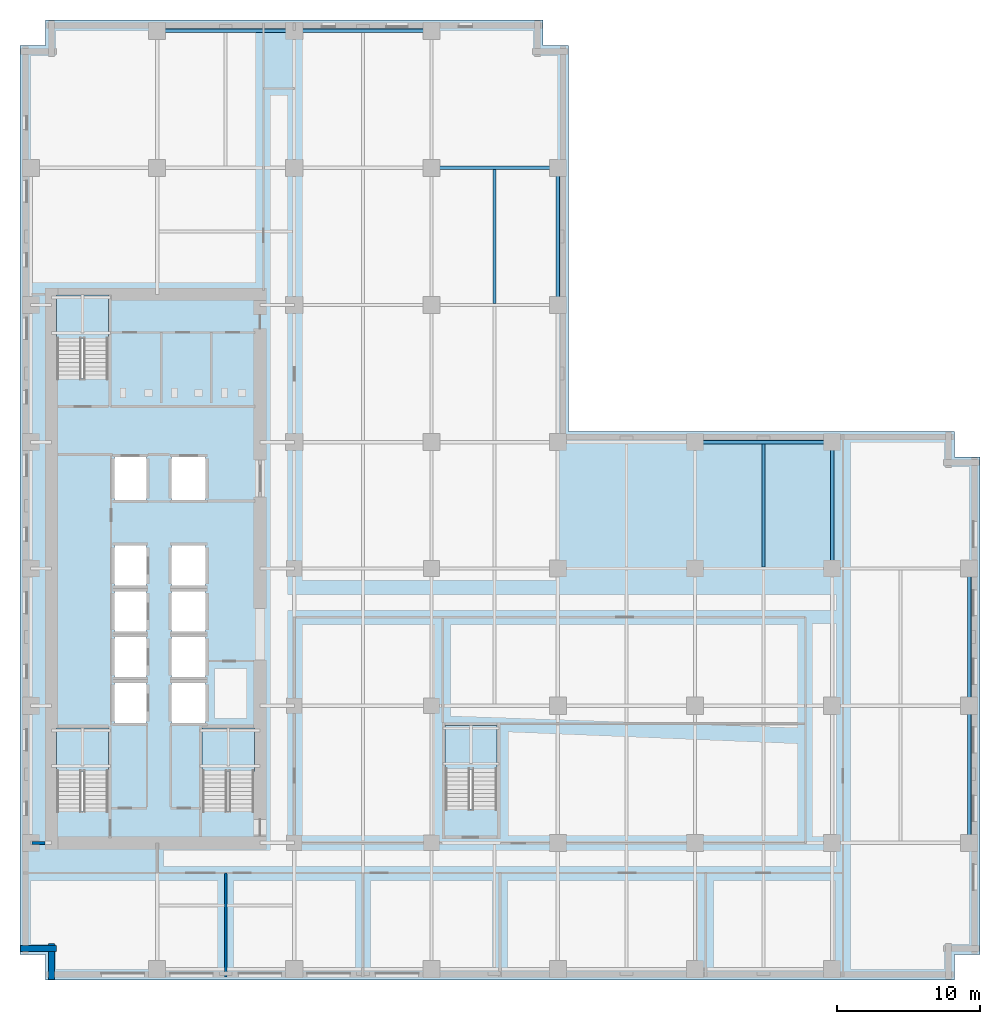
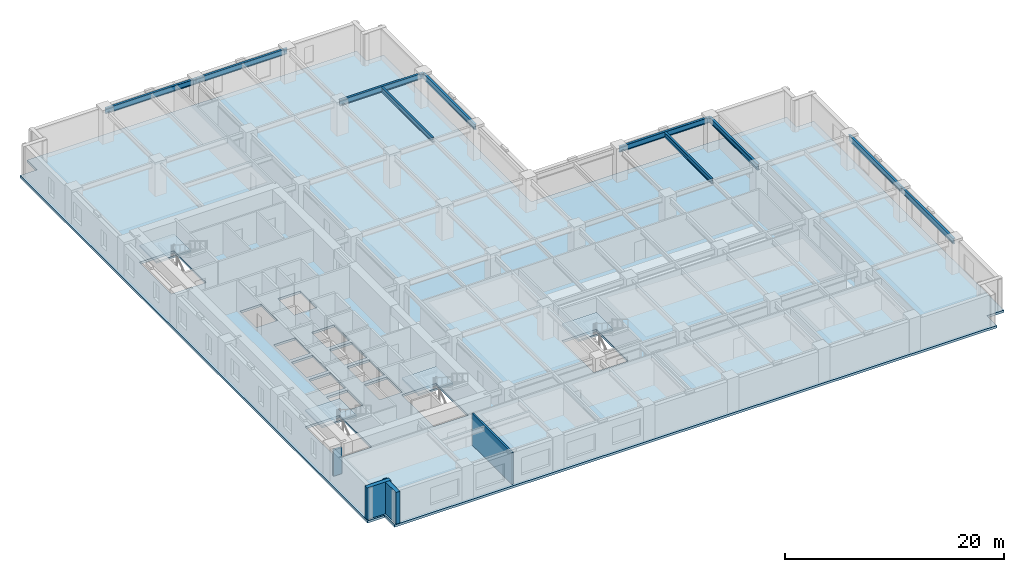
# One storey, part 3 of 13: 10 beams, 5 slabs, 4 walls, 4 elements without a shape of their own.
"""IFC4 building model written with IfcOpenShell, lengths in metres."""

from ifc_helpers import new_model, si_unit, direction, frame, frame_2d, origin, origin_2d, place, context, subcontext, project, spatial, polyline, rectangle, i_section, outline, extrude, material, layer, layer_set, material_profile, profile_set, type_object, element, aggregate, save


model = new_model("IFC4")

# Units and contexts
model_context = context("Model", 3, precision=1e-05, world=origin(), true_north=direction((0.0, 1.0)))
body_context = subcontext(model_context, "Body", "Model", "MODEL_VIEW")
ifc_project = project(units=[si_unit("LENGTHUNIT", "METRE"), si_unit("AREAUNIT", "SQUARE_METRE"), si_unit("VOLUMEUNIT", "CUBIC_METRE"), si_unit("PLANEANGLEUNIT", "RADIAN"), si_unit("MASSUNIT", "GRAM", prefix="KILO")], contexts=[model_context])

# Site, building, storey
site_placement = place(None, origin())
site = spatial("IfcSite", under=ifc_project, at=site_placement, CompositionType="ELEMENT")
building_placement = place(site_placement, origin())
building = spatial("IfcBuilding", under=site, at=building_placement, Name="Norrvale University Quadrangle", CompositionType="ELEMENT")
storey_placement = place(building_placement, frame((0.0, 0.0, 31.800048828125)))
storey = spatial("IfcBuildingStorey", under=building, at=storey_placement, Name="L07", CompositionType="ELEMENT", Elevation=31.800048828125)

# Beams
ifc_material_1 = material(Name="Steel 350W", Category="steel")
ifc_material_profile_1 = material_profile(ifc_material_1, i_section(OverallWidth=0.208984375, OverallDepth=0.532958984375, WebThickness=0.01025390625, FlangeThickness=0.015625, FilletRadius=0.013916015625, at=origin_2d()), Name="Steel 350W")
ifc_profile_set_1 = profile_set([ifc_material_profile_1], Name="Steel 350W")
beam_type_1 = type_object("IfcBeamType", Name="Beam Floor W530x92", PredefinedType="JOIST", material=ifc_profile_set_1)
beam_1_placement = place(storey_placement, frame((33.22509765625, 47.364990234375, 3.2734375), z_axis=(0.0, 1.0, 0.0), x_axis=(-1.0, 0.0, 0.0)))
element("IfcBeam", 1, at=beam_1_placement, inside=storey, type_object=beam_type_1, Name="Beam Floor W530x92 BM-L07-J091", PredefinedType="JOIST", context=body_context, shape_type="SweptSolid", body=[
    extrude(i_section(OverallWidth=0.208984375, OverallDepth=0.532958984375, WebThickness=0.01025390625, FlangeThickness=0.015625, FilletRadius=0.013916015625, at=origin_2d()), origin(), (0.0, 0.0, 1.0), 9.3701171875),
])
beam_2_placement = place(storey_placement, frame((52.050048828125, 28.9150390625, 3.2734375), z_axis=(0.0, 1.0, 0.0), x_axis=(-1.0, 0.0, 0.0)))
element("IfcBeam", 2, at=beam_2_placement, inside=storey, type_object=beam_type_1, Name="Beam Floor W530x92 BM-L07-J099", PredefinedType="JOIST", context=body_context, shape_type="SweptSolid", body=[
    extrude(i_section(OverallWidth=0.208984375, OverallDepth=0.532958984375, WebThickness=0.01025390625, FlangeThickness=0.015625, FilletRadius=0.013916015625, at=origin_2d()), origin(), (0.0, 0.0, 1.0), 8.619873046875),
])
ifc_material_profile_2 = material_profile(ifc_material_1, i_section(OverallWidth=0.22998046875, OverallDepth=0.616943359375, WebThickness=0.01318359375, FlangeThickness=0.022216796875, FilletRadius=0.01611328125, at=origin_2d()), Name="Steel 350W")
ifc_profile_set_2 = profile_set([ifc_material_profile_2], Name="Steel 350W")
beam_type_2 = type_object("IfcBeamType", Name="Beam Floor W610x140", PredefinedType="BEAM", material=ifc_profile_set_2)
beam_3_placement = place(storey_placement, frame((47.25, 37.64990234375, 3.2314453125), z_axis=(1.0, 0.0, 0.0), x_axis=(0.0, 1.0, 0.0)))
element("IfcBeam", 3, at=beam_3_placement, inside=storey, type_object=beam_type_2, Name="Beam Floor W610x140 BM-L07-GX024", PredefinedType="BEAM", context=body_context, shape_type="SweptSolid", body=[
    extrude(i_section(OverallWidth=0.22998046875, OverallDepth=0.616943359375, WebThickness=0.01318359375, FlangeThickness=0.022216796875, FilletRadius=0.01611328125, at=origin_2d()), origin(), (0.0, 0.0, 1.0), 9.60009765625),
])
beam_4_placement = place(storey_placement, frame((28.800048828125, 56.85009765625, 3.2314453125), z_axis=(1.0, 0.0, 0.0), x_axis=(0.0, 1.0, 0.0)))
element("IfcBeam", 4, at=beam_4_placement, inside=storey, type_object=beam_type_2, Name="Beam Floor W610x140 BM-L07-GX030", PredefinedType="BEAM", context=body_context, shape_type="SweptSolid", body=[
    extrude(i_section(OverallWidth=0.22998046875, OverallDepth=0.616943359375, WebThickness=0.01318359375, FlangeThickness=0.022216796875, FilletRadius=0.01611328125, at=origin_2d()), origin(), (0.0, 0.0, 1.0), 8.849853515625),
])
beam_5_placement = place(storey_placement, frame((9.60009765625, 66.449951171875, 3.2314453125), z_axis=(1.0, 0.0, 0.0), x_axis=(0.0, 1.0, 0.0)))
element("IfcBeam", 5, at=beam_5_placement, inside=storey, type_object=beam_type_2, Name="Beam Floor W610x140 BM-L07-GX031", PredefinedType="BEAM", context=body_context, shape_type="SweptSolid", body=[
    extrude(i_section(OverallWidth=0.22998046875, OverallDepth=0.616943359375, WebThickness=0.01318359375, FlangeThickness=0.022216796875, FilletRadius=0.01611328125, at=origin_2d()), origin(), (0.0, 0.0, 1.0), 9.599853515625),
])
for number, where, z_axis, x_axis, name in (
    (6, (19.199951171875, 66.449951171875, 3.2314453125), (1.0, 0.0, 0.0), (0.0, 1.0, 0.0), "Beam Floor W610x140 BM-L07-GX032"),
    (7, (37.64990234375, 47.25, 3.2314453125), (0.0, 1.0, 0.0), (-1.0, 0.0, 0.0), "Beam Floor W610x140 BM-L07-GY058"),
):
    element("IfcBeam", number, at=place(storey_placement, frame(where, z_axis=z_axis, x_axis=x_axis)), inside=storey, type_object=beam_type_2, Name=name, PredefinedType="BEAM", context=body_context, shape_type="SweptSolid", body=[
        extrude(i_section(OverallWidth=0.22998046875, OverallDepth=0.616943359375, WebThickness=0.01318359375, FlangeThickness=0.022216796875, FilletRadius=0.01611328125, at=origin_2d()), origin(), (0.0, 0.0, 1.0), 9.60009765625),
    ])
beam_6_placement = place(storey_placement, frame((56.85009765625, 28.800048828125, 3.2314453125), z_axis=(0.0, 1.0, 0.0), x_axis=(-1.0, 0.0, 0.0)))
element("IfcBeam", 8, at=beam_6_placement, inside=storey, type_object=beam_type_2, Name="Beam Floor W610x140 BM-L07-GY066", PredefinedType="BEAM", context=body_context, shape_type="SweptSolid", body=[
    extrude(i_section(OverallWidth=0.22998046875, OverallDepth=0.616943359375, WebThickness=0.01318359375, FlangeThickness=0.022216796875, FilletRadius=0.01611328125, at=origin_2d()), origin(), (0.0, 0.0, 1.0), 8.849853515625),
])
beam_7_placement = place(storey_placement, frame((66.449951171875, 9.60009765625, 3.2314453125), z_axis=(0.0, 1.0, 0.0), x_axis=(-1.0, 0.0, 0.0)))
element("IfcBeam", 9, at=beam_7_placement, inside=storey, type_object=beam_type_2, Name="Beam Floor W610x140 BM-L07-GY067", PredefinedType="BEAM", context=body_context, shape_type="SweptSolid", body=[
    extrude(i_section(OverallWidth=0.22998046875, OverallDepth=0.616943359375, WebThickness=0.01318359375, FlangeThickness=0.022216796875, FilletRadius=0.01611328125, at=origin_2d()), origin(), (0.0, 0.0, 1.0), 9.599853515625),
])
beam_8_placement = place(storey_placement, frame((66.449951171875, 19.199951171875, 3.2314453125), z_axis=(0.0, 1.0, 0.0), x_axis=(-1.0, 0.0, 0.0)))
element("IfcBeam", 10, at=beam_8_placement, inside=storey, type_object=beam_type_2, Name="Beam Floor W610x140 BM-L07-GY068", PredefinedType="BEAM", context=body_context, shape_type="SweptSolid", body=[
    extrude(i_section(OverallWidth=0.22998046875, OverallDepth=0.616943359375, WebThickness=0.01318359375, FlangeThickness=0.022216796875, FilletRadius=0.01611328125, at=origin_2d()), origin(), (0.0, 0.0, 1.0), 9.60009765625),
])

# Stair, slab
ifc_material_2 = material(Name="Concrete C40/50", Category="concrete")
stair_type = type_object("IfcStairType", Name="Stair Tower Typ 3800", PredefinedType="TWO_STRAIGHT_RUN_STAIR", material=ifc_material_2)
stair_1_placement = place(storey_placement, origin())
stair_1 = element("IfcStair", 11, at=stair_1_placement, inside=storey, type_object=stair_type, Name="Exit Stair ST-01 L07", PredefinedType="TWO_STRAIGHT_RUN_STAIR")
ifc_layer_1 = layer(ifc_material_2, 0.199951171875, Name="Concrete C40/50")
ifc_layer_set_1 = layer_set([ifc_layer_1], Name="Concrete C40/50")
slab_type_1 = type_object("IfcSlabType", Name="Slab Landing 200", PredefinedType="LANDING", material=ifc_layer_set_1)
slab_1_placement = place(storey_placement, frame((0.0, 0.0, 1.699951171875)))
slab_1 = element("IfcSlab", 12, at=slab_1_placement, type_object=slab_type_1, Name="Exit Stair ST-01 L07 Mid Landing", PredefinedType="LANDING", context=body_context, shape_type="SweptSolid", body=[
    extrude(outline(polyline([(2.550048828125, 14.590087890625), (6.199951171875, 14.590087890625), (6.199951171875, 17.64990234375), (2.550048828125, 17.64990234375), (2.550048828125, 14.590087890625)])), origin(), (0.0, 0.0, 1.0), 0.199951171875),
])
aggregate(stair_1, [slab_1])

stair_2_placement = place(storey_placement, origin())
stair_2 = element("IfcStair", 13, at=stair_2_placement, inside=storey, type_object=stair_type, Name="Exit Stair ST-02 L07", PredefinedType="TWO_STRAIGHT_RUN_STAIR")
slab_2_placement = place(storey_placement, frame((0.0, 0.0, 1.699951171875)))
slab_2 = element("IfcSlab", 14, at=slab_2_placement, type_object=slab_type_1, Name="Exit Stair ST-02 L07 Mid Landing", PredefinedType="LANDING", context=body_context, shape_type="SweptSolid", body=[
    extrude(outline(polyline([(2.550048828125, 44.889892578125), (6.199951171875, 44.889892578125), (6.199951171875, 47.949951171875), (2.550048828125, 47.949951171875), (2.550048828125, 44.889892578125)])), origin(), (0.0, 0.0, 1.0), 0.199951171875),
])
aggregate(stair_2, [slab_2])

stair_3_placement = place(storey_placement, origin())
stair_3 = element("IfcStair", 15, at=stair_3_placement, inside=storey, type_object=stair_type, Name="Exit Stair ST-03 L07", PredefinedType="TWO_STRAIGHT_RUN_STAIR")
slab_3_placement = place(storey_placement, frame((0.0, 0.0, 1.699951171875)))
slab_3 = element("IfcSlab", 16, at=slab_3_placement, type_object=slab_type_1, Name="Exit Stair ST-03 L07 Mid Landing", PredefinedType="LANDING", context=body_context, shape_type="SweptSolid", body=[
    extrude(outline(polyline([(12.75, 14.590087890625), (16.39990234375, 14.590087890625), (16.39990234375, 17.64990234375), (12.75, 17.64990234375), (12.75, 14.590087890625)])), origin(), (0.0, 0.0, 1.0), 0.199951171875),
])
aggregate(stair_3, [slab_3])

stair_4_placement = place(storey_placement, origin())
stair_4 = element("IfcStair", 17, at=stair_4_placement, inside=storey, type_object=stair_type, Name="Exit Stair ST-04 L07", PredefinedType="TWO_STRAIGHT_RUN_STAIR")
slab_4_placement = place(storey_placement, frame((0.0, 0.0, 1.699951171875)))
slab_4 = element("IfcSlab", 18, at=slab_4_placement, type_object=slab_type_1, Name="Exit Stair ST-04 L07 Mid Landing", PredefinedType="LANDING", context=body_context, shape_type="SweptSolid", body=[
    extrude(outline(polyline([(29.75, 14.739990234375), (33.39990234375, 14.739990234375), (33.39990234375, 17.800048828125), (29.75, 17.800048828125), (29.75, 14.739990234375)])), origin(), (0.0, 0.0, 1.0), 0.199951171875),
])
aggregate(stair_4, [slab_4])

# Slab
ifc_layer_2 = layer(ifc_material_2, 0.260009765625, Name="Concrete C40/50")
ifc_layer_set_2 = layer_set([ifc_layer_2], Name="Concrete C40/50")
slab_type_2 = type_object("IfcSlabType", Name="Slab Tower Typ 260", PredefinedType="FLOOR", material=ifc_layer_set_2)
slab_5_placement = place(storey_placement, frame((0.0, 0.0, -0.260009765625)))
element("IfcSlab", 19, at=slab_5_placement, inside=storey, type_object=slab_type_2, Name="Tower L07 Floor Slab", PredefinedType="FLOOR", context=body_context, shape_type="SweptSolid", body=[
    extrude(outline(polyline([(1.800048828125, 0.0), (65.39990234375, 0.0), (65.39990234375, 1.800048828125), (67.199951171875, 1.800048828125), (67.199951171875, 36.60009765625), (65.39990234375, 36.60009765625), (65.39990234375, 38.39990234375), (38.39990234375, 38.39990234375), (38.39990234375, 65.39990234375), (36.60009765625, 65.39990234375), (36.60009765625, 67.199951171875), (1.800048828125, 67.199951171875), (1.800048828125, 65.39990234375), (0.0, 65.39990234375), (0.0, 1.800048828125), (1.800048828125, 1.800048828125), (1.800048828125, 0.0)]), holes=[polyline([(2.550048828125, 11.81005859375), (6.199951171875, 11.81005859375), (6.199951171875, 17.64990234375), (2.550048828125, 17.64990234375), (2.550048828125, 11.81005859375)]), polyline([(2.550048828125, 42.110107421875), (6.199951171875, 42.110107421875), (6.199951171875, 47.949951171875), (2.550048828125, 47.949951171875), (2.550048828125, 42.110107421875)]), polyline([(12.75, 11.81005859375), (16.39990234375, 11.81005859375), (16.39990234375, 17.64990234375), (12.75, 17.64990234375), (12.75, 11.81005859375)]), polyline([(29.75, 11.9599609375), (33.39990234375, 11.9599609375), (33.39990234375, 17.800048828125), (29.75, 17.800048828125), (29.75, 11.9599609375)]), polyline([(6.60009765625, 18.0), (8.85009765625, 18.0), (8.85009765625, 20.800048828125), (6.60009765625, 20.800048828125), (6.60009765625, 18.0)]), polyline([(6.60009765625, 21.199951171875), (8.85009765625, 21.199951171875), (8.85009765625, 24.0), (6.60009765625, 24.0), (6.60009765625, 21.199951171875)]), polyline([(6.60009765625, 24.39990234375), (8.85009765625, 24.39990234375), (8.85009765625, 27.199951171875), (6.60009765625, 27.199951171875), (6.60009765625, 24.39990234375)]), polyline([(6.60009765625, 27.60009765625), (8.85009765625, 27.60009765625), (8.85009765625, 30.39990234375), (6.60009765625, 30.39990234375), (6.60009765625, 27.60009765625)]), polyline([(10.60009765625, 18.0), (13.0, 18.0), (13.0, 20.800048828125), (10.60009765625, 20.800048828125), (10.60009765625, 18.0)]), polyline([(10.60009765625, 21.199951171875), (13.0, 21.199951171875), (13.0, 24.0), (10.60009765625, 24.0), (10.60009765625, 21.199951171875)]), polyline([(10.60009765625, 24.39990234375), (13.0, 24.39990234375), (13.0, 27.199951171875), (10.60009765625, 27.199951171875), (10.60009765625, 24.39990234375)]), polyline([(10.60009765625, 27.60009765625), (13.0, 27.60009765625), (13.0, 30.39990234375), (10.60009765625, 30.39990234375), (10.60009765625, 27.60009765625)]), polyline([(6.60009765625, 33.60009765625), (8.85009765625, 33.60009765625), (8.85009765625, 36.60009765625), (6.60009765625, 36.60009765625), (6.60009765625, 33.60009765625)]), polyline([(10.60009765625, 33.60009765625), (13.0, 33.60009765625), (13.0, 36.60009765625), (10.60009765625, 36.60009765625), (10.60009765625, 33.60009765625)])]), origin(), (0.0, 0.0, 1.0), 0.260009765625),
])

# Walls
ifc_material_3 = material(Name="Buff Norman Clay Brick Masonry", Category="masonry")
ifc_layer_3 = layer(ifc_material_3, 0.419921875, Name="Buff Norman Clay Brick Masonry")
ifc_layer_set_3 = layer_set([ifc_layer_3], Name="Buff Norman Clay Brick Masonry")
wall_type_1 = type_object("IfcWallType", Name="Wall Buff Brick 420", PredefinedType="SOLIDWALL", material=ifc_layer_set_3)
for number, where, z_axis, x_axis, name in (
    (20, (0.0400390625, 2.18994140625, 0.0), (0.0, 0.0, 1.0), (1.0, 0.0, 0.0), "Exterior Brick Facade Wall L07-15.1"),
    (21, (2.18994140625, 2.5400390625, 0.0), (0.0, 0.0, 1.0), (0.0, -1.0, 0.0), "Exterior Brick Facade Wall L07-16.1"),
):
    element("IfcWall", number, at=place(storey_placement, frame(where, z_axis=z_axis, x_axis=x_axis)), inside=storey, type_object=wall_type_1, Name=name, PredefinedType="SOLIDWALL", context=body_context, shape_type="SweptSolid", body=[
        extrude(rectangle(XDim=2.5, YDim=0.419921875, at=frame_2d((1.25, 0.0))), origin(), (0.0, 0.0, 1.0), 3.5400390625),
    ])
ifc_material_4 = material(Name="Acoustic Double-Stud Gypsum Partition")
ifc_layer_4 = layer(ifc_material_4, 0.179931640625, Name="Acoustic Double-Stud Gypsum Partition")
ifc_layer_set_4 = layer_set([ifc_layer_4], Name="Acoustic Double-Stud Gypsum Partition")
wall_type_2 = type_object("IfcWallType", Name="Wall Gypsum Lecture 180", PredefinedType="PARTITIONING", material=ifc_layer_set_4)
wall_1_placement = place(storey_placement, frame((14.39990234375, 0.219970703125, 0.0), z_axis=(0.0, 0.0, 1.0), x_axis=(0.0, 1.0, 0.0)))
element("IfcWall", 22, at=wall_1_placement, inside=storey, type_object=wall_type_2, Name="Interior Partition WL-L07-SP01", PredefinedType="PARTITIONING", context=body_context, shape_type="SweptSolid", body=[
    extrude(rectangle(XDim=7.280029296875, YDim=0.179931640625, at=frame_2d((3.64013671875, 0.0))), origin(), (0.0, 0.0, 1.0), 3.5400390625),
])
ifc_material_5 = material(Name="Concrete Blockwork 20 MPa Rated Wall", Category="masonry")
ifc_layer_5 = layer(ifc_material_5, 0.199951171875, Name="Concrete Blockwork 20 MPa Rated Wall")
ifc_layer_set_5 = layer_set([ifc_layer_5], Name="Concrete Blockwork 20 MPa Rated Wall")
wall_type_3 = type_object("IfcWallType", Name="Wall Lobby 200", PredefinedType="SOLIDWALL", material=ifc_layer_set_5)
wall_2_placement = place(storey_placement, frame((0.85009765625, 9.60009765625, 0.0), z_axis=(0.0, 0.0, 1.0), x_axis=(1.0, 0.0, 0.0)))
element("IfcWall", 23, at=wall_2_placement, inside=storey, type_object=wall_type_3, Name="Interior Partition WL-L07-CWRET-S", PredefinedType="SOLIDWALL", context=body_context, shape_type="SweptSolid", body=[
    extrude(rectangle(XDim=0.89501953125, YDim=0.199951171875, at=frame_2d((0.447509765625, 0.0))), origin(), (0.0, 0.0, 1.0), 2.9228515625),
])

save(model, "model.ifc")
